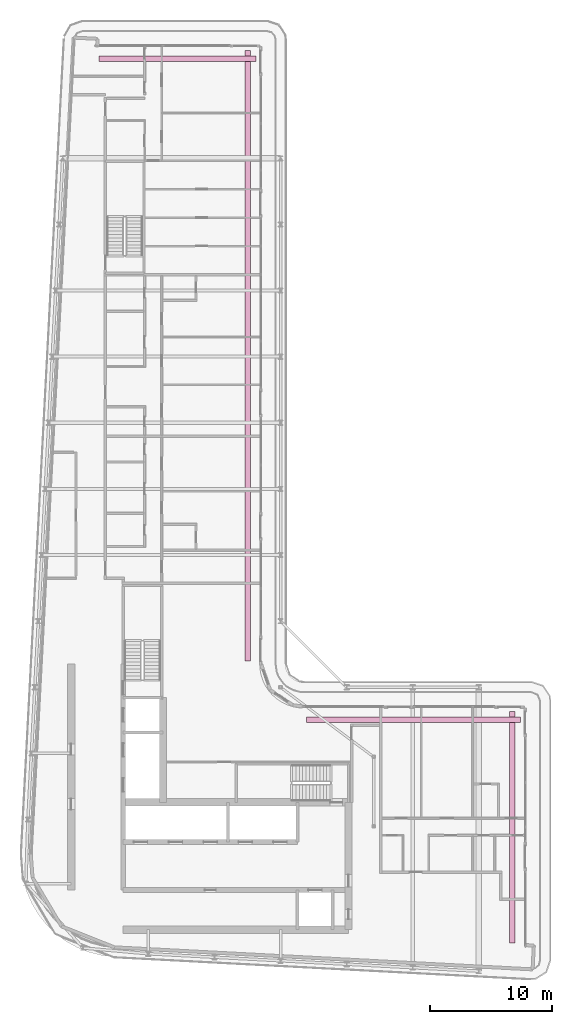
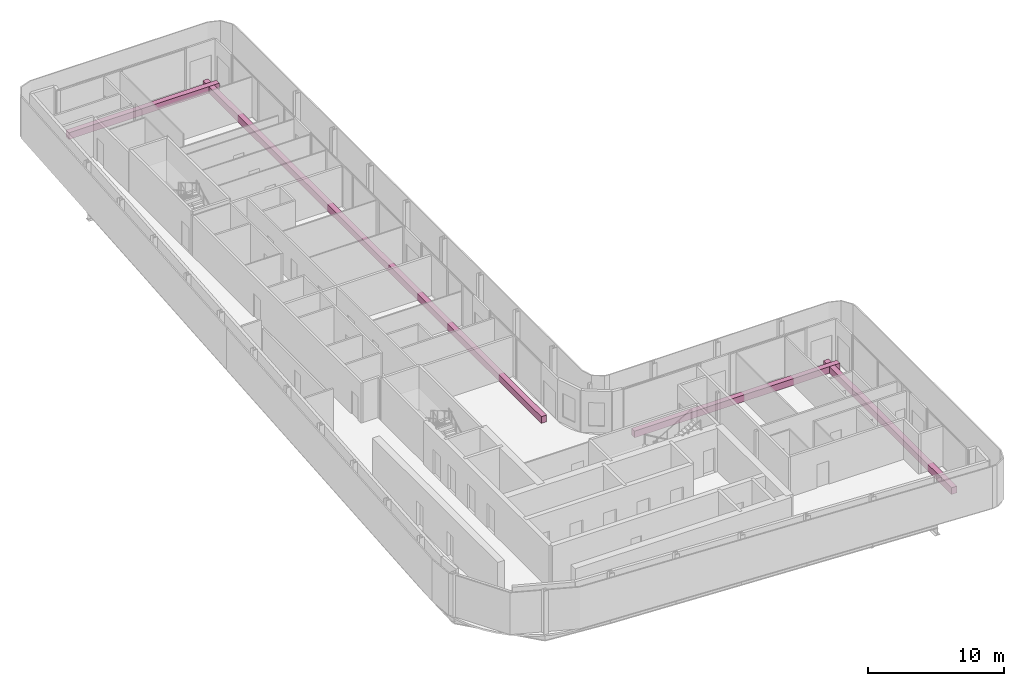
# One storey, part 21 of 21: 4 furniture elements.
"""IFC4 building model written with IfcOpenShell, lengths in metres."""

from ifc_helpers import new_model, si_unit, direction, frame, origin, origin_2d, place, context, subcontext, project, spatial, rectangle, extrude, material, type_object, element, save


model = new_model("IFC4")

# Units and contexts
model_context = context("Model", 3, precision=1e-05, world=origin(), true_north=direction((0.0, 1.0)))
body_context = subcontext(model_context, "Body", "Model", "MODEL_VIEW")
ifc_project = project(units=[si_unit("LENGTHUNIT", "METRE"), si_unit("AREAUNIT", "SQUARE_METRE"), si_unit("VOLUMEUNIT", "CUBIC_METRE"), si_unit("PLANEANGLEUNIT", "RADIAN"), si_unit("MASSUNIT", "GRAM", prefix="KILO")], contexts=[model_context])

# Site, building, storey
site_placement = place(None, origin())
site = spatial("IfcSite", under=ifc_project, at=site_placement, CompositionType="ELEMENT")
building_placement = place(site_placement, origin())
building = spatial("IfcBuilding", under=site, at=building_placement, Name="Kheshtan School and Residences Tower", CompositionType="ELEMENT")
storey_placement = place(building_placement, frame((0.0, 0.0, 298.10009765625)))
storey = spatial("IfcBuildingStorey", under=building, at=storey_placement, Name="L70", CompositionType="ELEMENT", Elevation=298.10009765625)

# Furniture
ifc_material = material(Name="Precast concrete C30/37 in terracotta finish", Category="masonry")
furniture_type = type_object("IfcFurnitureType", Name="Planter trough", AssemblyPlace="NOTDEFINED", PredefinedType="USERDEFINED", material=ifc_material)
furniture_1_placement = place(storey_placement, frame((39.196044921875, 96.925048828125, -0.000244140625), z_axis=(0.0, 0.0, 1.0), x_axis=(1.0, 0.0, 0.0)))
element("IfcFurniture", 1, at=furniture_1_placement, inside=storey, type_object=furniture_type, Name="Planter L70", ObjectType="PLANTER", PredefinedType="USERDEFINED", context=body_context, shape_type="SweptSolid", body=[
    extrude(rectangle(XDim=12.80810546875, YDim=0.449951171875, at=origin_2d()), origin(), (0.0, 0.0, 1.0), 0.60009765625),
])
furniture_2_placement = place(storey_placement, frame((44.925048828125, 72.6650390625, -0.000244140625), z_axis=(0.0, 0.0, 1.0), x_axis=(0.0, -1.0, 0.0)))
element("IfcFurniture", 2, at=furniture_2_placement, inside=storey, type_object=furniture_type, Name="Planter L70", ObjectType="PLANTER", PredefinedType="USERDEFINED", context=body_context, shape_type="SweptSolid", body=[
    extrude(rectangle(XDim=49.8701171875, YDim=0.449951171875, at=origin_2d()), origin(), (0.0, 0.0, 1.0), 0.60009765625),
])
furniture_3_placement = place(storey_placement, frame((58.465087890625, 42.925048828125, -0.000244140625), z_axis=(0.0, 0.0, 1.0), x_axis=(1.0, 0.0, 0.0)))
element("IfcFurniture", 3, at=furniture_3_placement, inside=storey, type_object=furniture_type, Name="Planter L70", ObjectType="PLANTER", PredefinedType="USERDEFINED", context=body_context, shape_type="SweptSolid", body=[
    extrude(rectangle(XDim=17.469970703125, YDim=0.449951171875, at=origin_2d()), origin(), (0.0, 0.0, 1.0), 0.60009765625),
])
furniture_4_placement = place(storey_placement, frame((66.52490234375, 34.159912109375, -0.000244140625), z_axis=(0.0, 0.0, 1.0), x_axis=(0.0, -1.0, 0.0)))
element("IfcFurniture", 4, at=furniture_4_placement, inside=storey, type_object=furniture_type, Name="Planter L70", ObjectType="PLANTER", PredefinedType="USERDEFINED", context=body_context, shape_type="SweptSolid", body=[
    extrude(rectangle(XDim=18.881103515625, YDim=0.449951171875, at=origin_2d()), origin(), (0.0, 0.0, 1.0), 0.60009765625),
])

save(model, "model.ifc")
